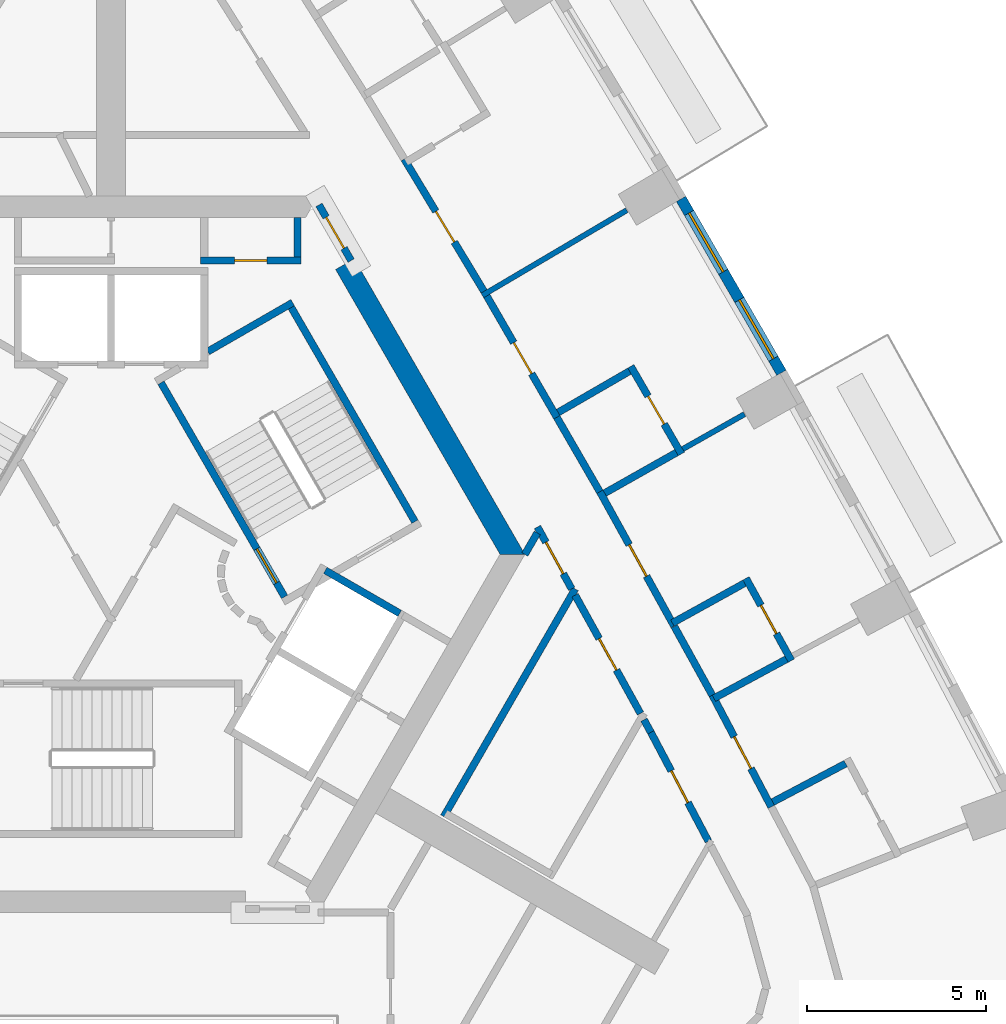
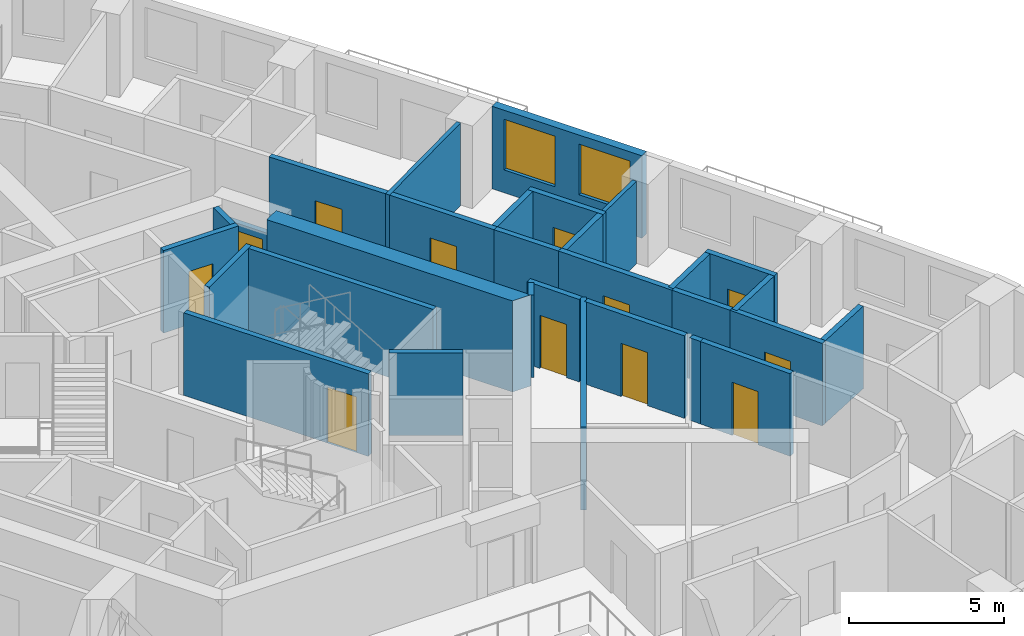
# One storey, part 8 of 14: 30 walls, 12 doors, 2 windows, 14 openings.
"""IFC4 building model written with IfcOpenShell, lengths in metres."""

from ifc_helpers import new_model, si_unit, direction, frame, frame_2d, origin, place, context, subcontext, project, spatial, polyline, rectangle, outline, extrude, material, layer, layer_set, type_object, element, fill, save


model = new_model("IFC4")

# Units and contexts
model_context = context("Model", 3, precision=1e-05, world=origin(), true_north=direction((0.0, 1.0)))
body_context = subcontext(model_context, "Body", "Model", "MODEL_VIEW")
ifc_project = project(units=[si_unit("LENGTHUNIT", "METRE"), si_unit("AREAUNIT", "SQUARE_METRE"), si_unit("VOLUMEUNIT", "CUBIC_METRE"), si_unit("PLANEANGLEUNIT", "RADIAN"), si_unit("MASSUNIT", "GRAM", prefix="KILO")], contexts=[model_context])

# Site, building, storey
site_placement = place(None, origin())
site = spatial("IfcSite", under=ifc_project, at=site_placement, CompositionType="ELEMENT")
building_placement = place(site_placement, origin())
building = spatial("IfcBuilding", under=site, at=building_placement, Name="Entoto Arch Interchange Tower", CompositionType="ELEMENT")
storey_placement = place(building_placement, frame((0.0, 0.0, 252.199951171875)))
storey = spatial("IfcBuildingStorey", under=building, at=storey_placement, Name="L57", CompositionType="ELEMENT", Elevation=252.199951171875)

# Wall, opening, door
ifc_material_1 = material(Name="Reinforced concrete C40/50", Category="concrete")
ifc_layer_1 = layer(ifc_material_1, 0.199951171875)
ifc_layer_set_1 = layer_set([ifc_layer_1], Name="Reinforced concrete C40/50")
wall_type_1 = type_object("IfcWallType", Name="CORE GAP INFILL WALL", PredefinedType="PARTITIONING", material=ifc_layer_set_1)
wall_1_placement = place(storey_placement, frame((6.698974609375, 10.697021484375, 0.0), z_axis=(0.0, 0.0, 1.0), x_axis=(-0.499914839587, 0.866074565589, 0.0)))
wall_1 = element("IfcWall", 1, at=wall_1_placement, inside=storey, type_object=wall_type_1, Name="wall:L57:gap2", PredefinedType="PARTITIONING", context=body_context, shape_type="SweptSolid", body=[
    extrude(rectangle(XDim=1.794189453125, YDim=0.199951171875, at=frame_2d((0.89697265625, 0.0))), origin(), (0.0, 0.0, 1.0), 2.400146484375),
])
opening_1_placement = place(wall_1_placement, frame((0.39697265625, 0.0, 0.0)))
opening_1 = element("IfcOpeningElement", 2, at=opening_1_placement, cuts=wall_1, Name="Opening L57-D92", PredefinedType="OPENING", context=body_context, shape_type="SweptSolid", body=[
    extrude(rectangle(XDim=1.0, YDim=2.10009765625, at=frame_2d((0.5, 1.050048828125))), frame((0.0, 0.10986328125, 0.0), z_axis=(0.0, -1.0, 0.0), x_axis=(1.0, 0.0, 0.0)), (0.0, 0.0, 1.0), 0.219970703125),
])
ifc_material_2 = material(Name="Fire-rated Steel S235 door and frame", Category="steel")
door_type_1 = type_object("IfcDoorType", Name="DOOR FD-10 1000x2100", OperationType="SINGLE_SWING_LEFT", PredefinedType="DOOR", material=ifc_material_2)
door_1_placement = place(opening_1_placement, origin())
door_1 = element("IfcDoor", 3, at=door_1_placement, inside=storey, type_object=door_type_1, Name="door:L57:gap2", OperationType="SINGLE_SWING_LEFT", OverallHeight=2.10009765625, OverallWidth=1.0, PredefinedType="DOOR", context=body_context, shape_type="SweptSolid", body=[
    extrude(rectangle(XDim=1.0, YDim=2.10009765625, at=frame_2d((0.5, 1.050048828125))), frame((0.0, 0.02490234375, 0.0), z_axis=(0.0, -1.0, 0.0), x_axis=(1.0, 0.0, 0.0)), (0.0, 0.0, 1.0), 0.050048828125),
])
fill(opening_1, door_1)

# Walls
ifc_material_3 = material(Name="Concrete C40/50", Category="concrete")
ifc_layer_2 = layer(ifc_material_3, 0.60009765625)
ifc_layer_set_2 = layer_set([ifc_layer_2], Name="Concrete C40/50")
wall_type_2 = type_object("IfcWallType", Name="Core wall 600 C40/50", PredefinedType="SHEAR", material=ifc_layer_set_2)
wall_2_placement = place(storey_placement, frame((0.0, 0.0, -0.33984375)))
element("IfcWall", 4, at=wall_2_placement, inside=storey, type_object=wall_type_2, Name="Core wall NE L57", PredefinedType="SHEAR", context=body_context, shape_type="SweptSolid", body=[
    extrude(outline(polyline([(6.785888671875, 10.7470703125), (6.26611328125, 10.447021484375), (10.85400390625, 2.5), (11.547119140625, 2.5), (6.785888671875, 10.7470703125)])), origin(), (0.0, 0.0, 1.0), 3.599853515625),
])
ifc_layer_3 = layer(ifc_material_3, 0.199951171875)
ifc_layer_set_3 = layer_set([ifc_layer_3], Name="Concrete C40/50")
wall_type_3 = type_object("IfcWallType", Name="LIFT SHAFT WALL 200", PredefinedType="STANDARD", material=ifc_layer_set_3)
wall_3_placement = place(storey_placement, frame((5.97705078125, 2.052001953125, 0.0), z_axis=(0.0, 0.0, 1.0), x_axis=(0.865973769406, -0.500089422704, 0.0)))
element("IfcWall", 5, at=wall_3_placement, inside=storey, type_object=wall_type_3, Name="Shaft wall SE1 cross 3", PredefinedType="STANDARD", context=body_context, shape_type="SweptSolid", body=[
    extrude(rectangle(XDim=2.3994140625, YDim=0.199951171875, at=frame_2d((1.19970703125, 0.0))), origin(), (0.0, 0.0, 1.0), 3.260009765625),
])
ifc_material_4 = material(Name="Gypsum board partition on steel studs", Category="steel")
ifc_layer_4 = layer(ifc_material_4, 0.14990234375)
ifc_layer_set_4 = layer_set([ifc_layer_4], Name="Gypsum board partition on steel studs")
wall_type_4 = type_object("IfcWallType", Name="PARTITION 150", PredefinedType="PARTITIONING", material=ifc_layer_set_4)
wall_4_placement = place(storey_placement, frame((15.951904296875, 5.43701171875, 0.0), z_axis=(0.0, 0.0, 1.0), x_axis=(0.870817501488, 0.491606427036, 0.0)))
element("IfcWall", 6, at=wall_4_placement, inside=storey, type_object=wall_type_4, Name="wall:L57:p138", PredefinedType="PARTITIONING", context=body_context, shape_type="SweptSolid", body=[
    extrude(rectangle(XDim=1.98095703125, YDim=0.14990234375, at=frame_2d((0.990478515625, 0.0))), origin(), (0.0, 0.0, 1.0), 3.260009765625),
])
wall_5_placement = place(storey_placement, frame((10.360107421875, 9.72412109375, 0.0), z_axis=(0.0, 0.0, 1.0), x_axis=(0.861211954005, 0.508245974188, 0.0)))
element("IfcWall", 7, at=wall_5_placement, inside=storey, type_object=wall_type_4, Name="wall:L57:p142", PredefinedType="PARTITIONING", context=body_context, shape_type="SweptSolid", body=[
    extrude(rectangle(XDim=4.6806640625, YDim=0.14990234375, at=frame_2d((2.34033203125, 0.0))), origin(), (0.0, 0.0, 1.0), 3.260009765625),
])

# Wall, opening, door
ifc_layer_5 = layer(ifc_material_4, 0.199951171875)
ifc_layer_set_5 = layer_set([ifc_layer_5], Name="Gypsum board partition on steel studs")
wall_type_5 = type_object("IfcWallType", Name="PARTITION 200", PredefinedType="PARTITIONING", material=ifc_layer_set_5)
wall_6_placement = place(storey_placement, frame((12.85400390625, 1.534912109375, 0.0), z_axis=(0.0, 0.0, 1.0), x_axis=(-0.483730980407, 0.875216738068, 0.0)))
wall_6 = element("IfcWall", 8, at=wall_6_placement, inside=storey, type_object=wall_type_5, Name="wall:L57:p004", PredefinedType="PARTITIONING", context=body_context, shape_type="SweptSolid", body=[
    extrude(rectangle(XDim=1.974365234375, YDim=0.199951171875, at=frame_2d((0.9873046875, 0.0))), origin(), (0.0, 0.0, 1.0), 3.260009765625),
])
opening_2_placement = place(wall_6_placement, frame((0.487060546875, 0.0, 0.0)))
opening_2 = element("IfcOpeningElement", 9, at=opening_2_placement, cuts=wall_6, Name="Opening L57-D45", PredefinedType="OPENING", context=body_context, shape_type="SweptSolid", body=[
    extrude(rectangle(XDim=1.0, YDim=2.10009765625, at=frame_2d((0.5, 1.050048828125))), frame((0.0, 0.10986328125, 0.0), z_axis=(0.0, -1.0, 0.0), x_axis=(1.0, 0.0, 0.0)), (0.0, 0.0, 1.0), 0.219970703125),
])
ifc_material_5 = material(Name="Timber door leaf in Steel S235 frame", Category="steel")
door_type_2 = type_object("IfcDoorType", Name="DOOR DS-10 1000x2100", OperationType="SINGLE_SWING_LEFT", PredefinedType="DOOR", material=ifc_material_5)
door_2_placement = place(opening_2_placement, origin())
door_2 = element("IfcDoor", 10, at=door_2_placement, inside=storey, type_object=door_type_2, Name="door:L57:45", OperationType="SINGLE_SWING_LEFT", OverallHeight=2.10009765625, OverallWidth=1.0, PredefinedType="DOOR", context=body_context, shape_type="SweptSolid", body=[
    extrude(rectangle(XDim=1.0, YDim=2.10009765625, at=frame_2d((0.5, 1.050048828125))), frame((0.0, 0.02490234375, 0.0), z_axis=(0.0, -1.0, 0.0), x_axis=(1.0, 0.0, 0.0)), (0.0, 0.0, 1.0), 0.050048828125),
])
fill(opening_2, door_2)

# Wall
wall_7_placement = place(storey_placement, frame((11.89306640625, 3.096923828125, 0.0), z_axis=(0.0, 0.0, 1.0), x_axis=(-0.500911294014, -0.865498628265, 0.0)))
element("IfcWall", 11, at=wall_7_placement, inside=storey, type_object=wall_type_5, Name="wall:L57:p005", PredefinedType="PARTITIONING", context=body_context, shape_type="SweptSolid", body=[
    extrude(rectangle(XDim=0.693115234375, YDim=0.199951171875, at=frame_2d((0.3466796875, 0.0))), origin(), (0.0, 0.0, 1.0), 3.260009765625),
])

# Wall, opening, door
wall_8_placement = place(storey_placement, frame((14.77294921875, -1.94091796875, 0.0), z_axis=(0.0, 0.0, 1.0), x_axis=(-0.483431586589, 0.875382145744, 0.0)))
wall_8 = element("IfcWall", 12, at=wall_8_placement, inside=storey, type_object=wall_type_5, Name="wall:L57:p015", PredefinedType="PARTITIONING", context=body_context, shape_type="SweptSolid", body=[
    extrude(rectangle(XDim=3.77099609375, YDim=0.199951171875, at=frame_2d((1.885498046875, 0.0))), origin(), (0.0, 0.0, 1.0), 3.260009765625),
])
opening_3_placement = place(wall_8_placement, frame((1.385009765625, 0.0, 0.0)))
opening_3 = element("IfcOpeningElement", 13, at=opening_3_placement, cuts=wall_8, Name="Opening L57-D34", PredefinedType="OPENING", context=body_context, shape_type="SweptSolid", body=[
    extrude(rectangle(XDim=1.0, YDim=2.10009765625, at=frame_2d((0.5, 1.050048828125))), frame((0.0, 0.10986328125, 0.0), z_axis=(0.0, -1.0, 0.0), x_axis=(1.0, 0.0, 0.0)), (0.0, 0.0, 1.0), 0.219970703125),
])
door_3_placement = place(opening_3_placement, origin())
door_3 = element("IfcDoor", 14, at=door_3_placement, inside=storey, type_object=door_type_2, Name="door:L57:34", OperationType="SINGLE_SWING_LEFT", OverallHeight=2.10009765625, OverallWidth=1.0, PredefinedType="DOOR", context=body_context, shape_type="SweptSolid", body=[
    extrude(rectangle(XDim=1.0, YDim=2.10009765625, at=frame_2d((0.5, 1.050048828125))), frame((0.0, 0.02490234375, 0.0), z_axis=(0.0, -1.0, 0.0), x_axis=(1.0, 0.0, 0.0)), (0.0, 0.0, 1.0), 0.050048828125),
])
fill(opening_3, door_3)

wall_9_placement = place(storey_placement, frame((16.6669921875, -5.5048828125, 0.0), z_axis=(0.0, 0.0, 1.0), x_axis=(-0.466812680399, 0.884356218624, 0.0)))
wall_9 = element("IfcWall", 15, at=wall_9_placement, inside=storey, type_object=wall_type_5, Name="wall:L57:p017", PredefinedType="PARTITIONING", context=body_context, shape_type="SweptSolid", body=[
    extrude(rectangle(XDim=3.43408203125, YDim=0.199951171875, at=frame_2d((1.717041015625, 0.0))), origin(), (0.0, 0.0, 1.0), 3.260009765625),
])
opening_4_placement = place(wall_9_placement, frame((1.217041015625, 0.0, 0.0)))
opening_4 = element("IfcOpeningElement", 16, at=opening_4_placement, cuts=wall_9, Name="Opening L57-D36", PredefinedType="OPENING", context=body_context, shape_type="SweptSolid", body=[
    extrude(rectangle(XDim=1.0, YDim=2.10009765625, at=frame_2d((0.5, 1.050048828125))), frame((0.0, 0.10986328125, 0.0), z_axis=(0.0, -1.0, 0.0), x_axis=(1.0, 0.0, 0.0)), (0.0, 0.0, 1.0), 0.219970703125),
])
door_4_placement = place(opening_4_placement, origin())
door_4 = element("IfcDoor", 17, at=door_4_placement, inside=storey, type_object=door_type_2, Name="door:L57:36", OperationType="SINGLE_SWING_RIGHT", OverallHeight=2.10009765625, OverallWidth=1.0, PredefinedType="DOOR", context=body_context, shape_type="SweptSolid", body=[
    extrude(rectangle(XDim=1.0, YDim=2.10009765625, at=frame_2d((0.5, 1.050048828125))), frame((0.0, 0.02490234375, 0.0), z_axis=(0.0, -1.0, 0.0), x_axis=(1.0, 0.0, 0.0)), (0.0, 0.0, 1.0), 0.050048828125),
])
fill(opening_4, door_4)

# Wall
wall_10_placement = place(storey_placement, frame((15.06396484375, -2.468017578125, 0.0), z_axis=(0.0, 0.0, 1.0), x_axis=(-0.482338449744, 0.875984942735, 0.0)))
element("IfcWall", 18, at=wall_10_placement, inside=storey, type_object=wall_type_5, Name="wall:L57:p018", PredefinedType="PARTITIONING", context=body_context, shape_type="SweptSolid", body=[
    extrude(rectangle(XDim=0.40185546875, YDim=0.199951171875, at=frame_2d((0.200927734375, 0.0))), origin(), (0.0, 0.0, 1.0), 3.260009765625),
])

# Wall, opening, door
wall_11_placement = place(storey_placement, frame((16.778076171875, -1.428955078125, 0.0), z_axis=(0.0, 0.0, 1.0), x_axis=(0.466493865945, -0.884524433261, 0.0)))
wall_11 = element("IfcWall", 19, at=wall_11_placement, inside=storey, type_object=wall_type_5, Name="wall:L57:p042", PredefinedType="PARTITIONING", context=body_context, shape_type="SweptSolid", body=[
    extrude(rectangle(XDim=3.5263671875, YDim=0.199951171875, at=frame_2d((1.76318359375, 0.0))), origin(), (0.0, 0.0, 1.0), 3.260009765625),
])
opening_5_placement = place(wall_11_placement, frame((1.31298828125, 0.0, 0.0)))
opening_5 = element("IfcOpeningElement", 20, at=opening_5_placement, cuts=wall_11, Name="Opening L57-D06", PredefinedType="OPENING", context=body_context, shape_type="SweptSolid", body=[
    extrude(rectangle(XDim=1.0, YDim=2.10009765625, at=frame_2d((0.5, 1.050048828125))), frame((0.0, 0.10986328125, 0.0), z_axis=(0.0, -1.0, 0.0), x_axis=(1.0, 0.0, 0.0)), (0.0, 0.0, 1.0), 0.219970703125),
])
door_5_placement = place(opening_5_placement, origin())
door_5 = element("IfcDoor", 21, at=door_5_placement, inside=storey, type_object=door_type_1, Name="door:L57:06", OperationType="SINGLE_SWING_RIGHT", OverallHeight=2.10009765625, OverallWidth=1.0, PredefinedType="DOOR", context=body_context, shape_type="SweptSolid", body=[
    extrude(rectangle(XDim=1.0, YDim=2.10009765625, at=frame_2d((0.5, 1.050048828125))), frame((0.0, 0.02490234375, 0.0), z_axis=(0.0, -1.0, 0.0), x_axis=(1.0, 0.0, 0.0)), (0.0, 0.0, 1.0), 0.050048828125),
])
fill(opening_5, door_5)

wall_12_placement = place(storey_placement, frame((13.64111328125, 4.24609375, 0.0), z_axis=(0.0, 0.0, 1.0), x_axis=(0.483405752983, -0.875396411909, 0.0)))
wall_12 = element("IfcWall", 22, at=wall_12_placement, inside=storey, type_object=wall_type_5, Name="wall:L57:p044", PredefinedType="PARTITIONING", context=body_context, shape_type="SweptSolid", body=[
    extrude(rectangle(XDim=4.28369140625, YDim=0.199951171875, at=frame_2d((2.141845703125, 0.0))), origin(), (0.0, 0.0, 1.0), 3.260009765625),
])
opening_6_placement = place(wall_12_placement, frame((1.69189453125, 0.0, 0.0)))
opening_6 = element("IfcOpeningElement", 23, at=opening_6_placement, cuts=wall_12, Name="Opening L57-D08", PredefinedType="OPENING", context=body_context, shape_type="SweptSolid", body=[
    extrude(rectangle(XDim=1.0, YDim=2.10009765625, at=frame_2d((0.5, 1.050048828125))), frame((0.0, 0.10986328125, 0.0), z_axis=(0.0, -1.0, 0.0), x_axis=(1.0, 0.0, 0.0)), (0.0, 0.0, 1.0), 0.219970703125),
])
door_6_placement = place(opening_6_placement, origin())
door_6 = element("IfcDoor", 24, at=door_6_placement, inside=storey, type_object=door_type_1, Name="door:L57:08", OperationType="SINGLE_SWING_RIGHT", OverallHeight=2.10009765625, OverallWidth=1.0, PredefinedType="DOOR", context=body_context, shape_type="SweptSolid", body=[
    extrude(rectangle(XDim=1.0, YDim=2.10009765625, at=frame_2d((0.5, 1.050048828125))), frame((0.0, 0.02490234375, 0.0), z_axis=(0.0, -1.0, 0.0), x_axis=(1.0, 0.0, 0.0)), (0.0, 0.0, 1.0), 0.050048828125),
])
fill(opening_6, door_6)

# Wall
wall_13_placement = place(storey_placement, frame((15.715087890625, 0.490966796875, 0.0), z_axis=(0.0, 0.0, 1.0), x_axis=(0.483421428323, -0.875387755591, 0.0)))
element("IfcWall", 25, at=wall_13_placement, inside=storey, type_object=wall_type_5, Name="wall:L57:p045", PredefinedType="PARTITIONING", context=body_context, shape_type="SweptSolid", body=[
    extrude(rectangle(XDim=2.1943359375, YDim=0.199951171875, at=frame_2d((1.09716796875, 0.0))), origin(), (0.0, 0.0, 1.0), 3.260009765625),
])

# Wall, opening, door
wall_14_placement = place(storey_placement, frame((10.48388671875, 9.7099609375, 0.0), z_axis=(0.0, 0.0, 1.0), x_axis=(0.500034145141, -0.866005689181, 0.0)))
wall_14 = element("IfcWall", 26, at=wall_14_placement, inside=storey, type_object=wall_type_5, Name="wall:L57:p046", PredefinedType="PARTITIONING", context=body_context, shape_type="SweptSolid", body=[
    extrude(rectangle(XDim=3.909912109375, YDim=0.199951171875, at=frame_2d((1.955078125, 0.0))), origin(), (0.0, 0.0, 1.0), 3.260009765625),
])
opening_7_placement = place(wall_14_placement, frame((1.5048828125, 0.0, 0.0)))
opening_7 = element("IfcOpeningElement", 27, at=opening_7_placement, cuts=wall_14, Name="Opening L57-D10", PredefinedType="OPENING", context=body_context, shape_type="SweptSolid", body=[
    extrude(rectangle(XDim=1.0, YDim=2.10009765625, at=frame_2d((0.5, 1.050048828125))), frame((0.0, 0.10986328125, 0.0), z_axis=(0.0, -1.0, 0.0), x_axis=(1.0, 0.0, 0.0)), (0.0, 0.0, 1.0), 0.219970703125),
])
door_7_placement = place(opening_7_placement, origin())
door_7 = element("IfcDoor", 28, at=door_7_placement, inside=storey, type_object=door_type_1, Name="door:L57:10", OperationType="SINGLE_SWING_LEFT", OverallHeight=2.10009765625, OverallWidth=1.0, PredefinedType="DOOR", context=body_context, shape_type="SweptSolid", body=[
    extrude(rectangle(XDim=1.0, YDim=2.10009765625, at=frame_2d((0.5, 1.050048828125))), frame((0.0, 0.02490234375, 0.0), z_axis=(0.0, -1.0, 0.0), x_axis=(1.0, 0.0, 0.0)), (0.0, 0.0, 1.0), 0.050048828125),
])
fill(opening_7, door_7)

# Wall
wall_15_placement = place(storey_placement, frame((12.43896484375, 6.323974609375, 0.0), z_axis=(0.0, 0.0, 1.0), x_axis=(0.499913221443, -0.866075499611, 0.0)))
element("IfcWall", 29, at=wall_15_placement, inside=storey, type_object=wall_type_5, Name="wall:L57:p047", PredefinedType="PARTITIONING", context=body_context, shape_type="SweptSolid", body=[
    extrude(rectangle(XDim=2.400390625, YDim=0.199951171875, at=frame_2d((1.2001953125, 0.0))), origin(), (0.0, 0.0, 1.0), 3.260009765625),
])

# Wall, opening, door
wall_16_placement = place(storey_placement, frame((8.180908203125, 13.531982421875, 0.0), z_axis=(0.0, 0.0, 1.0), x_axis=(0.51625987265, -0.856431984393, 0.0)))
wall_16 = element("IfcWall", 30, at=wall_16_placement, inside=storey, type_object=wall_type_5, Name="wall:L57:p048", PredefinedType="PARTITIONING", context=body_context, shape_type="SweptSolid", body=[
    extrude(rectangle(XDim=4.31201171875, YDim=0.199951171875, at=frame_2d((2.156005859375, 0.0))), origin(), (0.0, 0.0, 1.0), 3.260009765625),
])
opening_8_placement = place(wall_16_placement, frame((1.7060546875, 0.0, 0.0)))
opening_8 = element("IfcOpeningElement", 31, at=opening_8_placement, cuts=wall_16, Name="Opening L57-D12", PredefinedType="OPENING", context=body_context, shape_type="SweptSolid", body=[
    extrude(rectangle(XDim=1.0, YDim=2.10009765625, at=frame_2d((0.5, 1.050048828125))), frame((0.0, 0.10986328125, 0.0), z_axis=(0.0, -1.0, 0.0), x_axis=(1.0, 0.0, 0.0)), (0.0, 0.0, 1.0), 0.219970703125),
])
door_8_placement = place(opening_8_placement, origin())
door_8 = element("IfcDoor", 32, at=door_8_placement, inside=storey, type_object=door_type_1, Name="door:L57:12", OperationType="SINGLE_SWING_LEFT", OverallHeight=2.10009765625, OverallWidth=1.0, PredefinedType="DOOR", context=body_context, shape_type="SweptSolid", body=[
    extrude(rectangle(XDim=1.0, YDim=2.10009765625, at=frame_2d((0.5, 1.050048828125))), frame((0.0, 0.02490234375, 0.0), z_axis=(0.0, -1.0, 0.0), x_axis=(1.0, 0.0, 0.0)), (0.0, 0.0, 1.0), 0.050048828125),
])
fill(opening_8, door_8)

# Wall
wall_17_placement = place(storey_placement, frame((5.199951171875, 11.89990234375, 0.0), z_axis=(0.0, 0.0, 1.0), x_axis=(0.0, -1.0, 0.0)))
element("IfcWall", 33, at=wall_17_placement, inside=storey, type_object=wall_type_5, Name="wall:L57:p072", PredefinedType="PARTITIONING", context=body_context, shape_type="SweptSolid", body=[
    extrude(rectangle(XDim=1.099853515625, YDim=0.199951171875, at=frame_2d((0.5498046875, 0.0))), origin(), (0.0, 0.0, 1.0), 3.260009765625),
])

# Wall, opening, door
wall_18_placement = place(storey_placement, frame((5.300048828125, 10.699951171875, 0.0), z_axis=(0.0, 0.0, 1.0), x_axis=(-1.0, 0.0, 0.0)))
wall_18 = element("IfcWall", 34, at=wall_18_placement, inside=storey, type_object=wall_type_5, Name="wall:L57:p073", PredefinedType="PARTITIONING", context=body_context, shape_type="SweptSolid", body=[
    extrude(rectangle(XDim=2.800048828125, YDim=0.199951171875, at=frame_2d((1.39990234375, 0.0))), origin(), (0.0, 0.0, 1.0), 3.260009765625),
])
opening_9_placement = place(wall_18_placement, frame((0.949951171875, 0.0, 0.0)))
opening_9 = element("IfcOpeningElement", 35, at=opening_9_placement, cuts=wall_18, Name="Opening L57-D48", PredefinedType="OPENING", context=body_context, shape_type="SweptSolid", body=[
    extrude(rectangle(XDim=0.89990234375, YDim=2.10009765625, at=frame_2d((0.449951171875, 1.050048828125))), frame((0.0, 0.10986328125, 0.0), z_axis=(0.0, -1.0, 0.0), x_axis=(1.0, 0.0, 0.0)), (0.0, 0.0, 1.0), 0.219970703125),
])
door_type_3 = type_object("IfcDoorType", Name="DOOR DS-09 900x2100", OperationType="SINGLE_SWING_LEFT", PredefinedType="DOOR", material=ifc_material_5)
door_9_placement = place(opening_9_placement, origin())
door_9 = element("IfcDoor", 36, at=door_9_placement, inside=storey, type_object=door_type_3, Name="door:L57:48", OperationType="SINGLE_SWING_RIGHT", OverallHeight=2.10009765625, OverallWidth=0.89990234375, PredefinedType="DOOR", context=body_context, shape_type="SweptSolid", body=[
    extrude(rectangle(XDim=0.89990234375, YDim=2.10009765625, at=frame_2d((0.449951171875, 1.050048828125))), frame((0.0, 0.02490234375, 0.0), z_axis=(0.0, -1.0, 0.0), x_axis=(1.0, 0.0, 0.0)), (0.0, 0.0, 1.0), 0.050048828125),
])
fill(opening_9, door_9)

# Walls
wall_19_placement = place(storey_placement, frame((9.284912109375, -4.818115234375, 0.0), z_axis=(0.0, 0.0, 1.0), x_axis=(0.499962569651, 0.866047013128, 0.0)))
element("IfcWall", 37, at=wall_19_placement, inside=storey, type_object=wall_type_5, Name="wall:L57:p092", PredefinedType="PARTITIONING", context=body_context, shape_type="SweptSolid", body=[
    extrude(rectangle(XDim=7.33447265625, YDim=0.199951171875, at=frame_2d((3.667236328125, 0.0))), origin(), (0.0, 0.0, 1.0), 3.260009765625),
])
wall_20_placement = place(storey_placement, frame((20.4990234375, -3.339111328125, 0.0), z_axis=(0.0, 0.0, 1.0), x_axis=(-0.884293452572, -0.466931568583, 0.0)))
element("IfcWall", 38, at=wall_20_placement, inside=storey, type_object=wall_type_5, Name="wall:L57:p133", PredefinedType="PARTITIONING", context=body_context, shape_type="SweptSolid", body=[
    extrude(rectangle(XDim=2.300048828125, YDim=0.199951171875, at=frame_2d((1.14990234375, 0.0))), origin(), (0.0, 0.0, 1.0), 3.260009765625),
])
wall_21_placement = place(storey_placement, frame((16.823974609375, -1.51806640625, 0.0), z_axis=(0.0, 0.0, 1.0), x_axis=(0.87996932648, 0.475030508972, 0.0)))
element("IfcWall", 39, at=wall_21_placement, inside=storey, type_object=wall_type_5, Name="wall:L57:p135", PredefinedType="PARTITIONING", context=body_context, shape_type="SweptSolid", body=[
    extrude(rectangle(XDim=2.298828125, YDim=0.199951171875, at=frame_2d((1.1494140625, 0.0))), origin(), (0.0, 0.0, 1.0), 3.260009765625),
])

# Wall, opening, door
wall_22_placement = place(storey_placement, frame((18.98388671875, -0.466064453125, 0.0), z_axis=(0.0, 0.0, 1.0), x_axis=(-0.482922337539, 0.875663186337, 0.0)))
wall_22 = element("IfcWall", 40, at=wall_22_placement, inside=storey, type_object=wall_type_5, Name="wall:L57:p136", PredefinedType="PARTITIONING", context=body_context, shape_type="SweptSolid", body=[
    extrude(rectangle(XDim=2.623291015625, YDim=0.199951171875, at=frame_2d((1.3115234375, 0.0))), origin(), (0.0, 0.0, 1.0), 3.260009765625),
])
opening_10_placement = place(wall_22_placement, frame((0.861083984375, 0.0, 0.0)))
opening_10 = element("IfcOpeningElement", 41, at=opening_10_placement, cuts=wall_22, Name="Opening L57-D09", PredefinedType="OPENING", context=body_context, shape_type="SweptSolid", body=[
    extrude(rectangle(XDim=0.89990234375, YDim=2.10009765625, at=frame_2d((0.449951171875, 1.050048828125))), frame((0.0, 0.10986328125, 0.0), z_axis=(0.0, -1.0, 0.0), x_axis=(1.0, 0.0, 0.0)), (0.0, 0.0, 1.0), 0.219970703125),
])
door_10_placement = place(opening_10_placement, origin())
door_10 = element("IfcDoor", 42, at=door_10_placement, inside=storey, type_object=door_type_3, Name="door:L57:09", OperationType="SINGLE_SWING_LEFT", OverallHeight=2.10009765625, OverallWidth=0.89990234375, PredefinedType="DOOR", context=body_context, shape_type="SweptSolid", body=[
    extrude(rectangle(XDim=0.89990234375, YDim=2.10009765625, at=frame_2d((0.449951171875, 1.050048828125))), frame((0.0, 0.02490234375, 0.0), z_axis=(0.0, -1.0, 0.0), x_axis=(1.0, 0.0, 0.0)), (0.0, 0.0, 1.0), 0.050048828125),
])
fill(opening_10, door_10)

# Walls
wall_23_placement = place(storey_placement, frame((17.677001953125, 1.695068359375, 0.0), z_axis=(0.0, 0.0, 1.0), x_axis=(-0.875306576455, -0.483568399727, 0.0)))
element("IfcWall", 43, at=wall_23_placement, inside=storey, type_object=wall_type_5, Name="wall:L57:p137", PredefinedType="PARTITIONING", context=body_context, shape_type="SweptSolid", body=[
    extrude(rectangle(XDim=2.2998046875, YDim=0.199951171875, at=frame_2d((1.14990234375, 0.0))), origin(), (0.0, 0.0, 1.0), 3.260009765625),
])
wall_24_placement = place(storey_placement, frame((13.77587890625, 4.2080078125, 0.0), z_axis=(0.0, 0.0, 1.0), x_axis=(0.870669592898, 0.491868336044, 0.0)))
element("IfcWall", 44, at=wall_24_placement, inside=storey, type_object=wall_type_5, Name="wall:L57:p139", PredefinedType="PARTITIONING", context=body_context, shape_type="SweptSolid", body=[
    extrude(rectangle(XDim=2.299560546875, YDim=0.199951171875, at=frame_2d((1.14990234375, 0.0))), origin(), (0.0, 0.0, 1.0), 3.260009765625),
])

# Wall, opening, door
wall_25_placement = place(storey_placement, frame((15.9150390625, 5.301025390625, 0.0), z_axis=(0.0, 0.0, 1.0), x_axis=(-0.499709979351, 0.866192782547, 0.0)))
wall_25 = element("IfcWall", 45, at=wall_25_placement, inside=storey, type_object=wall_type_5, Name="wall:L57:p140", PredefinedType="PARTITIONING", context=body_context, shape_type="SweptSolid", body=[
    extrude(rectangle(XDim=2.823974609375, YDim=0.199951171875, at=frame_2d((1.412109375, 0.0))), origin(), (0.0, 0.0, 1.0), 3.260009765625),
])
opening_11_placement = place(wall_25_placement, frame((0.9619140625, 0.0, 0.0)))
opening_11 = element("IfcOpeningElement", 46, at=opening_11_placement, cuts=wall_25, Name="Opening L57-D11", PredefinedType="OPENING", context=body_context, shape_type="SweptSolid", body=[
    extrude(rectangle(XDim=0.89990234375, YDim=2.10009765625, at=frame_2d((0.449951171875, 1.050048828125))), frame((0.0, 0.10986328125, 0.0), z_axis=(0.0, -1.0, 0.0), x_axis=(1.0, 0.0, 0.0)), (0.0, 0.0, 1.0), 0.219970703125),
])
door_11_placement = place(opening_11_placement, origin())
door_11 = element("IfcDoor", 47, at=door_11_placement, inside=storey, type_object=door_type_3, Name="door:L57:11", OperationType="SINGLE_SWING_LEFT", OverallHeight=2.10009765625, OverallWidth=0.89990234375, PredefinedType="DOOR", context=body_context, shape_type="SweptSolid", body=[
    extrude(rectangle(XDim=0.89990234375, YDim=2.10009765625, at=frame_2d((0.449951171875, 1.050048828125))), frame((0.0, 0.02490234375, 0.0), z_axis=(0.0, -1.0, 0.0), x_axis=(1.0, 0.0, 0.0)), (0.0, 0.0, 1.0), 0.050048828125),
])
fill(opening_11, door_11)

# Walls
wall_26_placement = place(storey_placement, frame((14.467041015625, 7.611083984375, 0.0), z_axis=(0.0, 0.0, 1.0), x_axis=(-0.865716862402, -0.500534028967, 0.0)))
element("IfcWall", 48, at=wall_26_placement, inside=storey, type_object=wall_type_5, Name="wall:L57:p141", PredefinedType="PARTITIONING", context=body_context, shape_type="SweptSolid", body=[
    extrude(rectangle(XDim=2.2998046875, YDim=0.199951171875, at=frame_2d((1.14990234375, 0.0))), origin(), (0.0, 0.0, 1.0), 3.260009765625),
])
ifc_layer_6 = layer(ifc_material_3, 0.199951171875)
ifc_layer_set_6 = layer_set([ifc_layer_6], Name="Concrete C40/50")
wall_type_6 = type_object("IfcWallType", Name="STAIR ENCLOSURE WALL 200", PredefinedType="STANDARD", material=ifc_layer_set_6)
wall_27_placement = place(storey_placement, frame((2.699951171875, 8.157958984375, 0.0), z_axis=(0.0, 0.0, 1.0), x_axis=(0.86611865017, 0.499838457731, 0.0)))
element("IfcWall", 49, at=wall_27_placement, inside=storey, type_object=wall_type_6, Name="Stair wall ST-NE far", PredefinedType="STANDARD", context=body_context, shape_type="SweptSolid", body=[
    extrude(rectangle(XDim=2.73291015625, YDim=0.199951171875, at=frame_2d((1.366455078125, 0.0))), origin(), (0.0, 0.0, 1.0), 3.260009765625),
])

# Wall, opening, door
wall_28_placement = place(storey_placement, frame((4.843017578125, 1.31201171875, 0.0), z_axis=(0.0, 0.0, 1.0), x_axis=(-0.499963383562, 0.866046543262, 0.0)))
wall_28 = element("IfcWall", 50, at=wall_28_placement, inside=storey, type_object=wall_type_6, Name="Stair wall ST-NE hall", PredefinedType="STANDARD", context=body_context, shape_type="SweptSolid", body=[
    extrude(rectangle(XDim=6.900390625, YDim=0.199951171875, at=frame_2d((3.4501953125, 0.0))), origin(), (0.0, 0.0, 1.0), 3.260009765625),
])
opening_12_placement = place(wall_28_placement, frame((0.449951171875, 0.0, 0.0)))
opening_12 = element("IfcOpeningElement", 51, at=opening_12_placement, cuts=wall_28, Name="Opening SD-ST-NE-L57", PredefinedType="OPENING", context=body_context, shape_type="SweptSolid", body=[
    extrude(rectangle(XDim=1.10009765625, YDim=2.199951171875, at=frame_2d((0.550048828125, 1.10009765625))), frame((0.0, 0.10986328125, 0.0), z_axis=(0.0, -1.0, 0.0), x_axis=(1.0, 0.0, 0.0)), (0.0, 0.0, 1.0), 0.219970703125),
])
ifc_material_6 = material(Name="Steel S235", Category="steel")
door_type_4 = type_object("IfcDoorType", Name="STAIR DOOR SD1 1100x2200", OperationType="SINGLE_SWING_LEFT", PredefinedType="DOOR", material=ifc_material_6)
door_12_placement = place(opening_12_placement, origin())
door_12 = element("IfcDoor", 52, at=door_12_placement, inside=storey, type_object=door_type_4, Name="Stair door ST-NE L57", OperationType="SINGLE_SWING_LEFT", OverallHeight=2.199951171875, OverallWidth=1.10009765625, PredefinedType="DOOR", context=body_context, shape_type="SweptSolid", body=[
    extrude(rectangle(XDim=1.10009765625, YDim=2.199951171875, at=frame_2d((0.550048828125, 1.10009765625))), frame((0.0, 0.02490234375, 0.0), z_axis=(0.0, -1.0, 0.0), x_axis=(1.0, 0.0, 0.0)), (0.0, 0.0, 1.0), 0.050048828125),
])
fill(opening_12, door_12)

# Wall
wall_29_placement = place(storey_placement, frame((8.47998046875, 3.412109375, 0.0), z_axis=(0.0, 0.0, 1.0), x_axis=(-0.499978703459, 0.866037698999, 0.0)))
element("IfcWall", 53, at=wall_29_placement, inside=storey, type_object=wall_type_6, Name="Stair wall ST-NE back", PredefinedType="STANDARD", context=body_context, shape_type="SweptSolid", body=[
    extrude(rectangle(XDim=6.900146484375, YDim=0.199951171875, at=frame_2d((3.4501953125, 0.0))), origin(), (0.0, 0.0, 1.0), 3.260009765625),
])

# Wall, openings, windows
ifc_material_7 = material(Name="Welded tuff (ignimbrite) cladding, warm buff", Category="masonry")
ifc_layer_7 = layer(ifc_material_7, 0.300048828125)
ifc_layer_set_7 = layer_set([ifc_layer_7], Name="Welded tuff (ignimbrite) cladding, warm buff")
wall_type_7 = type_object("IfcWallType", Name="STONE INFILL WALL 300", PredefinedType="STANDARD", material=ifc_layer_set_7)
wall_30_placement = place(storey_placement, frame((18.7080078125, 7.56591796875, 0.0), z_axis=(0.0, 0.0, 1.0), x_axis=(-0.500089564757, 0.865973687372, 0.0)))
wall_30 = element("IfcWall", 54, at=wall_30_placement, inside=storey, type_object=wall_type_7, Name="Facade wall NE-03 L57", PredefinedType="STANDARD", context=body_context, shape_type="SweptSolid", body=[
    extrude(rectangle(XDim=5.60302734375, YDim=0.300048828125, at=frame_2d((2.801513671875, 0.0))), origin(), (0.0, 0.0, 1.0), 3.260009765625),
])
opening_13_placement = place(wall_30_placement, frame((0.450927734375, 0.0, 0.89990234375)))
opening_13 = element("IfcOpeningElement", 55, at=opening_13_placement, cuts=wall_30, Name="Opening WH-C", PredefinedType="OPENING", context=body_context, shape_type="SweptSolid", body=[
    extrude(rectangle(XDim=1.89990234375, YDim=2.0, at=frame_2d((0.949951171875, 1.0))), frame((0.0, 0.16015625, 0.0), z_axis=(0.0, -1.0, 0.0), x_axis=(1.0, 0.0, 0.0)), (0.0, 0.0, 1.0), 0.320068359375),
])
opening_14_placement = place(wall_30_placement, frame((3.251953125, 0.0, 0.89990234375)))
opening_14 = element("IfcOpeningElement", 56, at=opening_14_placement, cuts=wall_30, Name="Opening WH-C", PredefinedType="OPENING", context=body_context, shape_type="SweptSolid", body=[
    extrude(rectangle(XDim=1.89990234375, YDim=2.0, at=frame_2d((0.949951171875, 1.0))), frame((0.0, 0.16015625, 0.0), z_axis=(0.0, -1.0, 0.0), x_axis=(1.0, 0.0, 0.0)), (0.0, 0.0, 1.0), 0.320068359375),
])
ifc_material_8 = material(Name="Clear glass, low-e double glazed", Category="glass")
window_type = type_object("IfcWindowType", Name="WINDOW WH-C 1900x2000", PartitioningType="DOUBLE_PANEL_VERTICAL", PredefinedType="WINDOW", material=ifc_material_8)
window_1_placement = place(opening_13_placement, origin())
window_1 = element("IfcWindow", 57, at=window_1_placement, inside=storey, type_object=window_type, Name="Window WH-C NE-03 L57", OverallHeight=2.0, OverallWidth=1.89990234375, PartitioningType="SINGLE_PANEL", PredefinedType="WINDOW", context=body_context, shape_type="SweptSolid", body=[
    extrude(rectangle(XDim=1.89990234375, YDim=2.0, at=frame_2d((0.949951171875, 1.0))), frame((0.0, 0.030029296875, 0.0), z_axis=(0.0, -1.0, 0.0), x_axis=(1.0, 0.0, 0.0)), (0.0, 0.0, 1.0), 0.06005859375),
])
fill(opening_13, window_1)
window_2_placement = place(opening_14_placement, origin())
window_2 = element("IfcWindow", 58, at=window_2_placement, inside=storey, type_object=window_type, Name="Window WH-C NE-03 L57", OverallHeight=2.0, OverallWidth=1.89990234375, PartitioningType="SINGLE_PANEL", PredefinedType="WINDOW", context=body_context, shape_type="SweptSolid", body=[
    extrude(rectangle(XDim=1.89990234375, YDim=2.0, at=frame_2d((0.949951171875, 1.0))), frame((0.0, 0.030029296875, 0.0), z_axis=(0.0, -1.0, 0.0), x_axis=(1.0, 0.0, 0.0)), (0.0, 0.0, 1.0), 0.06005859375),
])
fill(opening_14, window_2)

save(model, "model.ifc")
